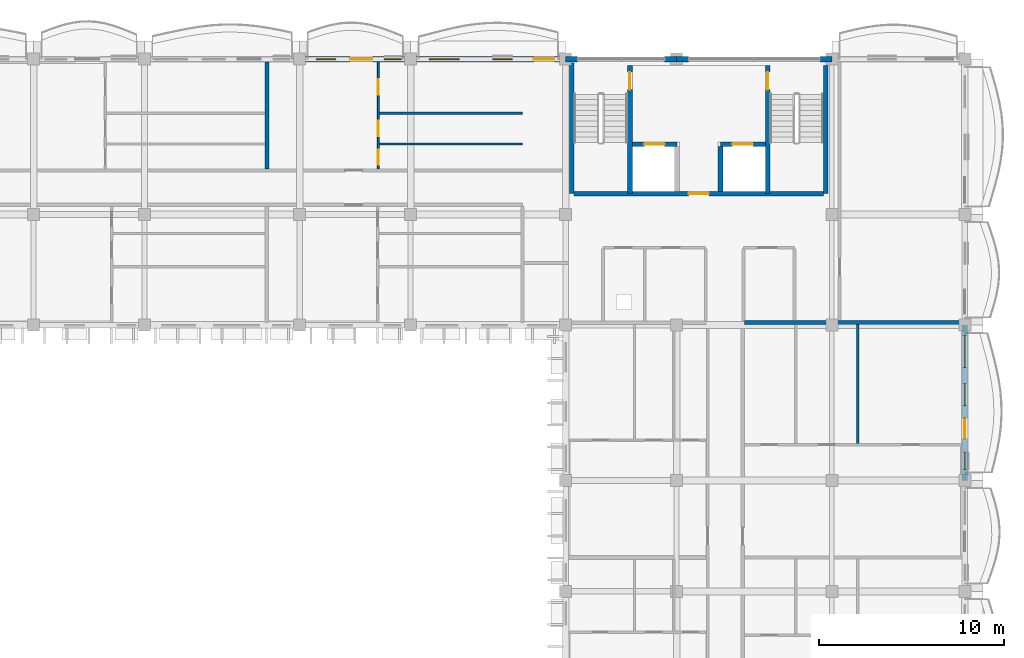
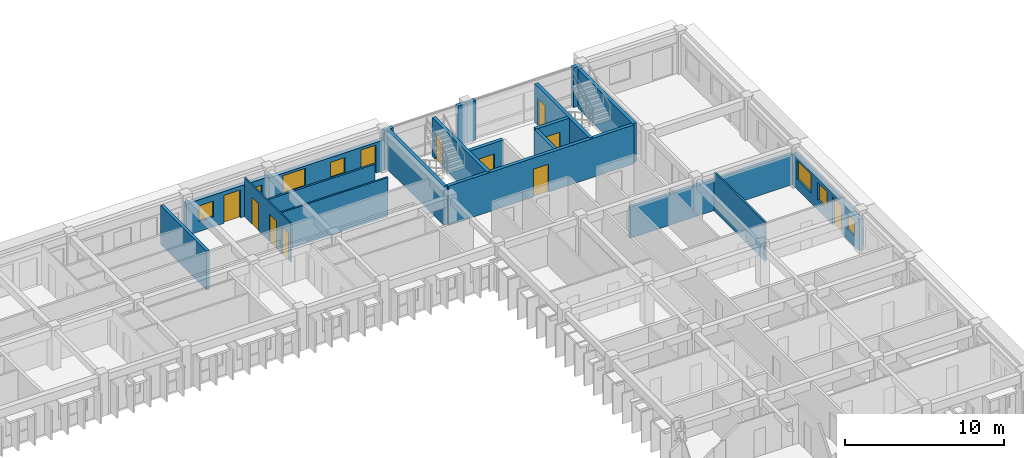
# One storey, part 36 of 66: 21 walls, 11 doors, 7 windows, 18 openings.
"""IFC4 building model written with IfcOpenShell, lengths in metres."""

from ifc_helpers import new_model, si_unit, direction, frame, frame_2d, origin, place, context, subcontext, project, spatial, rectangle, extrude, material, layer, layer_set, type_object, element, fill, save


model = new_model("IFC4")

# Units and contexts
model_context = context("Model", 3, precision=1e-05, world=origin(), true_north=direction((0.0, 1.0)))
body_context = subcontext(model_context, "Body", "Model", "MODEL_VIEW")
ifc_project = project(units=[si_unit("LENGTHUNIT", "METRE"), si_unit("AREAUNIT", "SQUARE_METRE"), si_unit("VOLUMEUNIT", "CUBIC_METRE"), si_unit("PLANEANGLEUNIT", "RADIAN"), si_unit("MASSUNIT", "GRAM", prefix="KILO"), si_unit("THERMODYNAMICTEMPERATUREUNIT", "KELVIN")], contexts=[model_context])

# Site, building, storey
site_placement = place(None, origin())
site = spatial("IfcSite", under=ifc_project, at=site_placement, CompositionType="ELEMENT")
building_placement = place(site_placement, origin())
building = spatial("IfcBuilding", under=site, at=building_placement, Name="Thalorik Housing Commons", CompositionType="ELEMENT")
storey_placement = place(building_placement, frame((0.0, 0.0, 21.300048828125)))
storey = spatial("IfcBuildingStorey", under=building, at=storey_placement, Name="L06", CompositionType="ELEMENT", Elevation=21.300048828125)

# Wall, opening, door
ifc_material_1 = material(Name="Concrete C40/50", Category="concrete")
ifc_layer_1 = layer(ifc_material_1, 0.25, Name="Concrete C40/50", Category="concrete")
ifc_layer_set_1 = layer_set([ifc_layer_1], Name="Concrete C40/50")
wall_type_1 = type_object("IfcWallType", Name="ARC-WAL-CORE-250", PredefinedType="SHEAR", material=ifc_layer_set_1)
wall_1_placement = place(storey_placement, frame((155.875, 123.25, 0.0), z_axis=(0.0, 0.0, 1.0), x_axis=(0.0, -1.0, 0.0)))
wall_1 = element("IfcWall", 1, at=wall_1_placement, inside=storey, type_object=wall_type_1, Name="L06 Core B Stair 1 Shear Wall", PredefinedType="SHEAR", context=body_context, shape_type="SweptSolid", body=[
    extrude(rectangle(XDim=6.925048828125, YDim=0.25, at=frame_2d((3.46240234375, 0.0))), origin(), (0.0, 0.0, 1.0), 3.0),
])
opening_1_placement = place(wall_1_placement, frame((0.35009765625, 0.0, 0.0)))
opening_1 = element("IfcOpeningElement", 2, at=opening_1_placement, cuts=wall_1, Name="Opening ID-0193", PredefinedType="OPENING", context=body_context, shape_type="SweptSolid", body=[
    extrude(rectangle(XDim=0.949951171875, YDim=2.10009765625, at=frame_2d((0.47509765625, 1.050048828125))), frame((0.0, 0.135009765625, 0.0), z_axis=(0.0, -1.0, 0.0), x_axis=(1.0, 0.0, 0.0)), (0.0, 0.0, 1.0), 0.27001953125),
])
ifc_material_2 = material(Name="Steel S355", Category="steel")
door_type_1 = type_object("IfcDoorType", Name="ARC-DR-FD60-950", OperationType="NOTDEFINED", PredefinedType="DOOR", material=ifc_material_2)
door_1_placement = place(opening_1_placement, origin())
door_1 = element("IfcDoor", 3, at=door_1_placement, inside=storey, type_object=door_type_1, Name="L06 Stair ST-B1 Fire Door", OperationType="SINGLE_SWING_RIGHT", OverallHeight=2.10009765625, OverallWidth=0.949951171875, PredefinedType="DOOR", context=body_context, shape_type="SweptSolid", body=[
    extrude(rectangle(XDim=0.949951171875, YDim=2.10009765625, at=frame_2d((0.47509765625, 1.050048828125))), frame((0.0, 0.02490234375, 0.0), z_axis=(0.0, -1.0, 0.0), x_axis=(1.0, 0.0, 0.0)), (0.0, 0.0, 1.0), 0.050048828125),
])
fill(opening_1, door_1)

# Walls
wall_2_placement = place(storey_placement, frame((152.72509765625, 123.39990234375, 0.0), z_axis=(0.0, 0.0, 1.0), x_axis=(0.0, -1.0, 0.0)))
element("IfcWall", 4, at=wall_2_placement, inside=storey, type_object=wall_type_1, Name="L06 Core B Stair 1 Outer Shear Wall", PredefinedType="SHEAR", context=body_context, shape_type="SweptSolid", body=[
    extrude(rectangle(XDim=7.074951171875, YDim=0.25, at=frame_2d((3.53759765625, 0.0))), origin(), (0.0, 0.0, 1.0), 3.0),
])
wall_3_placement = place(storey_placement, frame((166.47509765625, 123.25, 0.0), z_axis=(0.0, 0.0, 1.0), x_axis=(0.0, -1.0, 0.0)))
element("IfcWall", 5, at=wall_3_placement, inside=storey, type_object=wall_type_1, Name="L06 Core B Stair 2 Outer Shear Wall", PredefinedType="SHEAR", context=body_context, shape_type="SweptSolid", body=[
    extrude(rectangle(XDim=6.925048828125, YDim=0.25, at=frame_2d((3.46240234375, 0.0))), origin(), (0.0, 0.0, 1.0), 3.0),
])

# Wall, opening, door
wall_4_placement = place(storey_placement, frame((163.324951171875, 123.25, 0.0), z_axis=(0.0, 0.0, 1.0), x_axis=(0.0, -1.0, 0.0)))
wall_4 = element("IfcWall", 6, at=wall_4_placement, inside=storey, type_object=wall_type_1, Name="L06 Core B Stair 2 Shear Wall", PredefinedType="SHEAR", context=body_context, shape_type="SweptSolid", body=[
    extrude(rectangle(XDim=6.925048828125, YDim=0.25, at=frame_2d((3.46240234375, 0.0))), origin(), (0.0, 0.0, 1.0), 3.0),
])
opening_2_placement = place(wall_4_placement, frame((0.35009765625, 0.0, 0.0)))
opening_2 = element("IfcOpeningElement", 7, at=opening_2_placement, cuts=wall_4, Name="Opening ID-0194", PredefinedType="OPENING", context=body_context, shape_type="SweptSolid", body=[
    extrude(rectangle(XDim=0.949951171875, YDim=2.10009765625, at=frame_2d((0.47509765625, 1.050048828125))), frame((0.0, 0.135009765625, 0.0), z_axis=(0.0, -1.0, 0.0), x_axis=(1.0, 0.0, 0.0)), (0.0, 0.0, 1.0), 0.27001953125),
])
door_2_placement = place(opening_2_placement, origin())
door_2 = element("IfcDoor", 8, at=door_2_placement, inside=storey, type_object=door_type_1, Name="L06 Stair ST-B2 Fire Door", OperationType="SINGLE_SWING_LEFT", OverallHeight=2.10009765625, OverallWidth=0.949951171875, PredefinedType="DOOR", context=body_context, shape_type="SweptSolid", body=[
    extrude(rectangle(XDim=0.949951171875, YDim=2.10009765625, at=frame_2d((0.47509765625, 1.050048828125))), frame((0.0, 0.02490234375, 0.0), z_axis=(0.0, -1.0, 0.0), x_axis=(1.0, 0.0, 0.0)), (0.0, 0.0, 1.0), 0.050048828125),
])
fill(opening_2, door_2)

wall_5_placement = place(storey_placement, frame((156.0, 119.0, 0.0), z_axis=(0.0, 0.0, 1.0), x_axis=(1.0, 0.0, 0.0)))
wall_5 = element("IfcWall", 9, at=wall_5_placement, inside=storey, type_object=wall_type_1, Name="L06 Lift LF-B1 Front Shaft Wall", PredefinedType="SHEAR", context=body_context, shape_type="SweptSolid", body=[
    extrude(rectangle(XDim=2.425048828125, YDim=0.25, at=frame_2d((1.21240234375, 0.0))), origin(), (0.0, 0.0, 1.0), 3.0),
])
opening_3_placement = place(wall_5_placement, frame((0.64990234375, 0.0, 0.0)))
opening_3 = element("IfcOpeningElement", 10, at=opening_3_placement, cuts=wall_5, Name="Opening LD-LF-B1-L06", PredefinedType="OPENING", context=body_context, shape_type="SweptSolid", body=[
    extrude(rectangle(XDim=1.10009765625, YDim=2.14990234375, at=frame_2d((0.550048828125, 1.074951171875))), frame((0.0, 0.135009765625, 0.0), z_axis=(0.0, -1.0, 0.0), x_axis=(1.0, 0.0, 0.0)), (0.0, 0.0, 1.0), 0.27001953125),
])
door_type_2 = type_object("IfcDoorType", Name="ARC-DR-LIFT-1100", OperationType="NOTDEFINED", PredefinedType="DOOR", material=ifc_material_2)
door_3_placement = place(opening_3_placement, origin())
door_3 = element("IfcDoor", 11, at=door_3_placement, inside=storey, type_object=door_type_2, Name="L06 Lift LF-B1 Landing Door", OperationType="SLIDING_TO_LEFT", OverallHeight=2.14990234375, OverallWidth=1.10009765625, PredefinedType="DOOR", context=body_context, shape_type="SweptSolid", body=[
    extrude(rectangle(XDim=1.10009765625, YDim=2.14990234375, at=frame_2d((0.550048828125, 1.074951171875))), frame((0.0, 0.02490234375, 0.0), z_axis=(0.0, -1.0, 0.0), x_axis=(1.0, 0.0, 0.0)), (0.0, 0.0, 1.0), 0.050048828125),
])
fill(opening_3, door_3)

wall_6_placement = place(storey_placement, frame((160.77490234375, 119.0, 0.0), z_axis=(0.0, 0.0, 1.0), x_axis=(1.0, 0.0, 0.0)))
wall_6 = element("IfcWall", 12, at=wall_6_placement, inside=storey, type_object=wall_type_1, Name="L06 Lift LP-B2 Front Shaft Wall", PredefinedType="SHEAR", context=body_context, shape_type="SweptSolid", body=[
    extrude(rectangle(XDim=2.425048828125, YDim=0.25, at=frame_2d((1.21240234375, 0.0))), origin(), (0.0, 0.0, 1.0), 3.0),
])
opening_4_placement = place(wall_6_placement, frame((0.64990234375, 0.0, 0.0)))
opening_4 = element("IfcOpeningElement", 13, at=opening_4_placement, cuts=wall_6, Name="Opening LD-LP-B2-L06", PredefinedType="OPENING", context=body_context, shape_type="SweptSolid", body=[
    extrude(rectangle(XDim=1.10009765625, YDim=2.14990234375, at=frame_2d((0.550048828125, 1.074951171875))), frame((0.0, 0.135009765625, 0.0), z_axis=(0.0, -1.0, 0.0), x_axis=(1.0, 0.0, 0.0)), (0.0, 0.0, 1.0), 0.27001953125),
])
door_4_placement = place(opening_4_placement, origin())
door_4 = element("IfcDoor", 14, at=door_4_placement, inside=storey, type_object=door_type_2, Name="L06 Lift LP-B2 Landing Door", OperationType="SLIDING_TO_LEFT", OverallHeight=2.14990234375, OverallWidth=1.10009765625, PredefinedType="DOOR", context=body_context, shape_type="SweptSolid", body=[
    extrude(rectangle(XDim=1.10009765625, YDim=2.14990234375, at=frame_2d((0.550048828125, 1.074951171875))), frame((0.0, 0.02490234375, 0.0), z_axis=(0.0, -1.0, 0.0), x_axis=(1.0, 0.0, 0.0)), (0.0, 0.0, 1.0), 0.050048828125),
])
fill(opening_4, door_4)

# Wall
wall_7_placement = place(storey_placement, frame((160.77490234375, 118.875, 0.0), z_axis=(0.0, 0.0, 1.0), x_axis=(0.0, -1.0, 0.0)))
element("IfcWall", 15, at=wall_7_placement, inside=storey, type_object=wall_type_1, Name="L06 Lift 2 Cheek Wall", PredefinedType="SHEAR", context=body_context, shape_type="SweptSolid", body=[
    extrude(rectangle(XDim=2.425048828125, YDim=0.25, at=frame_2d((1.21240234375, 0.0))), origin(), (0.0, 0.0, 1.0), 3.0),
])

# Wall, opening, door
wall_8_placement = place(storey_placement, frame((152.85009765625, 116.324951171875, 0.0), z_axis=(0.0, 0.0, 1.0), x_axis=(1.0, 0.0, 0.0)))
wall_8 = element("IfcWall", 16, at=wall_8_placement, inside=storey, type_object=wall_type_1, Name="L06 Core B Spine Shear Wall", PredefinedType="SHEAR", context=body_context, shape_type="SweptSolid", body=[
    extrude(rectangle(XDim=13.5, YDim=0.25, at=frame_2d((6.75, 0.0))), origin(), (0.0, 0.0, 1.0), 3.0),
])
opening_5_placement = place(wall_8_placement, frame((6.199951171875, 0.0, 0.0)))
opening_5 = element("IfcOpeningElement", 17, at=opening_5_placement, cuts=wall_8, Name="Opening ID-0197", PredefinedType="OPENING", context=body_context, shape_type="SweptSolid", body=[
    extrude(rectangle(XDim=1.10009765625, YDim=2.14990234375, at=frame_2d((0.550048828125, 1.074951171875))), frame((0.0, 0.135009765625, 0.0), z_axis=(0.0, -1.0, 0.0), x_axis=(1.0, 0.0, 0.0)), (0.0, 0.0, 1.0), 0.27001953125),
])
door_type_3 = type_object("IfcDoorType", Name="ARC-DR-FD60-1100", OperationType="NOTDEFINED", PredefinedType="DOOR", material=ifc_material_2)
door_5_placement = place(opening_5_placement, origin())
door_5 = element("IfcDoor", 18, at=door_5_placement, inside=storey, type_object=door_type_3, Name="L06 Core B Lobby Fire Door", OperationType="SINGLE_SWING_RIGHT", OverallHeight=2.14990234375, OverallWidth=1.10009765625, PredefinedType="DOOR", context=body_context, shape_type="SweptSolid", body=[
    extrude(rectangle(XDim=1.10009765625, YDim=2.14990234375, at=frame_2d((0.550048828125, 1.074951171875))), frame((0.0, 0.02490234375, 0.0), z_axis=(0.0, -1.0, 0.0), x_axis=(1.0, 0.0, 0.0)), (0.0, 0.0, 1.0), 0.050048828125),
])
fill(opening_5, door_5)

# Walls
ifc_material_3 = material(Name="White precast concrete C40/50", Category="concrete")
ifc_layer_2 = layer(ifc_material_3, 0.304931640625, Name="White precast concrete C40/50", Category="concrete")
ifc_layer_set_2 = layer_set([ifc_layer_2], Name="White precast concrete C40/50")
wall_type_2 = type_object("IfcWallType", Name="ARC-WAL-EXT-305", PredefinedType="STANDARD", material=ifc_layer_set_2)
for number, where, z_axis, x_axis, name in (
    (19, (166.800048828125, 123.60009765625, 0.0), (0.0, 0.0, 1.0), (-1.0, 0.0, 0.0), "L06 Exterior Wall WAL-PIERL-L06-B-0600"),
    (20, (159.050048828125, 123.60009765625, 0.0), (0.0, 0.0, 1.0), (-1.0, 0.0, 0.0), "L06 Exterior Wall WAL-PIERR-L06-B-0600"),
):
    element("IfcWall", number, at=place(storey_placement, frame(where, z_axis=z_axis, x_axis=x_axis)), inside=storey, type_object=wall_type_2, Name=name, PredefinedType="STANDARD", context=body_context, shape_type="SweptSolid", body=[
        extrude(rectangle(XDim=0.650146484375, YDim=0.304931640625, at=frame_2d((0.3251953125, 0.0))), origin(), (0.0, 0.0, 1.0), 3.0400390625),
    ])
wall_9_placement = place(storey_placement, frame((158.39990234375, 123.60009765625, 0.0), z_axis=(0.0, 0.0, 1.0), x_axis=(-1.0, 0.0, 0.0)))
element("IfcWall", 21, at=wall_9_placement, inside=storey, type_object=wall_type_2, Name="L06 Exterior Wall WAL-PIERL-L06-B-0601", PredefinedType="STANDARD", context=body_context, shape_type="SweptSolid", body=[
    extrude(rectangle(XDim=0.64990234375, YDim=0.304931640625, at=frame_2d((0.324951171875, 0.0))), origin(), (0.0, 0.0, 1.0), 3.0400390625),
])
wall_10_placement = place(storey_placement, frame((153.050048828125, 123.60009765625, 0.0), z_axis=(0.0, 0.0, 1.0), x_axis=(-1.0, 0.0, 0.0)))
element("IfcWall", 22, at=wall_10_placement, inside=storey, type_object=wall_type_2, Name="L06 Exterior Wall WAL-PIERR-L06-B-0601", PredefinedType="STANDARD", context=body_context, shape_type="SweptSolid", body=[
    extrude(rectangle(XDim=0.650146484375, YDim=0.304931640625, at=frame_2d((0.3251953125, 0.0))), origin(), (0.0, 0.0, 1.0), 3.0400390625),
])

# Wall, openings, door, windows
wall_11_placement = place(storey_placement, frame((152.39990234375, 123.60009765625, 0.0), z_axis=(0.0, 0.0, 1.0), x_axis=(-1.0, 0.0, 0.0)))
wall_11 = element("IfcWall", 23, at=wall_11_placement, inside=storey, type_object=wall_type_2, Name="L06 Exterior Wall WAL-EXT-L06-B-0602", PredefinedType="STANDARD", context=body_context, shape_type="SweptSolid", body=[
    extrude(rectangle(XDim=8.39990234375, YDim=0.304931640625, at=frame_2d((4.199951171875, 0.0))), origin(), (0.0, 0.0, 1.0), 2.344970703125),
])
opening_6_placement = place(wall_11_placement, frame((0.6201171875, 0.0, 0.0)))
opening_6 = element("IfcOpeningElement", 24, at=opening_6_placement, cuts=wall_11, Name="Opening ED-0194", PredefinedType="OPENING", context=body_context, shape_type="SweptSolid", body=[
    extrude(rectangle(XDim=1.10009765625, YDim=2.14990234375, at=frame_2d((0.550048828125, 1.074951171875))), frame((0.0, 0.16259765625, 0.0), z_axis=(0.0, -1.0, 0.0), x_axis=(1.0, 0.0, 0.0)), (0.0, 0.0, 1.0), 0.324951171875),
])
opening_7_placement = place(wall_11_placement, frame((2.889892578125, 0.0, 0.780029296875)))
opening_7 = element("IfcOpeningElement", 25, at=opening_7_placement, cuts=wall_11, Name="Opening W-44", PredefinedType="OPENING", context=body_context, shape_type="SweptSolid", body=[
    extrude(rectangle(XDim=1.050048828125, YDim=1.199951171875, at=frame_2d((0.52490234375, 0.60009765625))), frame((0.0, 0.16259765625, 0.0), z_axis=(0.0, -1.0, 0.0), x_axis=(1.0, 0.0, 0.0)), (0.0, 0.0, 1.0), 0.324951171875),
])
opening_8_placement = place(wall_11_placement, frame((5.7548828125, 0.0, 0.780029296875)))
opening_8 = element("IfcOpeningElement", 26, at=opening_8_placement, cuts=wall_11, Name="Opening W-54", PredefinedType="OPENING", context=body_context, shape_type="SweptSolid", body=[
    extrude(rectangle(XDim=1.6201171875, YDim=1.3798828125, at=frame_2d((0.81005859375, 0.68994140625))), frame((0.0, 0.16259765625, 0.0), z_axis=(0.0, -1.0, 0.0), x_axis=(1.0, 0.0, 0.0)), (0.0, 0.0, 1.0), 0.324951171875),
])
ifc_material_4 = material(Name="Anodised aluminium and laminated safety glass", Category="aluminium")
door_type_4 = type_object("IfcDoorType", Name="ARC-DR-BAL-1100", OperationType="NOTDEFINED", PredefinedType="DOOR", material=ifc_material_4)
door_6_placement = place(opening_6_placement, frame((1.10009765625, 0.0, 0.0), z_axis=(0.0, 0.0, 1.0), x_axis=(-1.0, 0.0, 0.0)))
door_6 = element("IfcDoor", 27, at=door_6_placement, inside=storey, type_object=door_type_4, Name="L06 Block B Balcony Glazed Door", OperationType="SINGLE_SWING_LEFT", OverallHeight=2.14990234375, OverallWidth=1.10009765625, PredefinedType="DOOR", context=body_context, shape_type="SweptSolid", body=[
    extrude(rectangle(XDim=1.10009765625, YDim=2.14990234375, at=frame_2d((0.550048828125, 1.074951171875))), frame((0.0, 0.02490234375, 0.0), z_axis=(0.0, -1.0, 0.0), x_axis=(1.0, 0.0, 0.0)), (0.0, 0.0, 1.0), 0.050048828125),
])
fill(opening_6, door_6)
ifc_material_5 = material(Name="Anodised aluminium and solar-control low-E glass", Category="aluminium")
window_type_1 = type_object("IfcWindowType", Name="ARC-WIN-44", PartitioningType="SINGLE_PANEL", PredefinedType="WINDOW", material=ifc_material_5)
window_1_placement = place(opening_7_placement, origin())
window_1 = element("IfcWindow", 28, at=window_1_placement, inside=storey, type_object=window_type_1, Name="L06 Facade Window 1089", OverallHeight=1.199951171875, OverallWidth=1.050048828125, PartitioningType="SINGLE_PANEL", PredefinedType="WINDOW", context=body_context, shape_type="SweptSolid", body=[
    extrude(rectangle(XDim=1.050048828125, YDim=1.199951171875, at=frame_2d((0.52490234375, 0.60009765625))), frame((0.0, 0.030029296875, 0.0), z_axis=(0.0, -1.0, 0.0), x_axis=(1.0, 0.0, 0.0)), (0.0, 0.0, 1.0), 0.06005859375),
])
fill(opening_7, window_1)
window_type_2 = type_object("IfcWindowType", Name="ARC-WIN-54", PartitioningType="DOUBLE_PANEL_VERTICAL", PredefinedType="WINDOW", material=ifc_material_5)
window_2_placement = place(opening_8_placement, origin())
window_2 = element("IfcWindow", 29, at=window_2_placement, inside=storey, type_object=window_type_2, Name="L06 Facade Window 1090", OverallHeight=1.3798828125, OverallWidth=1.6201171875, PartitioningType="DOUBLE_PANEL_VERTICAL", PredefinedType="WINDOW", context=body_context, shape_type="SweptSolid", body=[
    extrude(rectangle(XDim=1.6201171875, YDim=1.3798828125, at=frame_2d((0.81005859375, 0.68994140625))), frame((0.0, 0.030029296875, 0.0), z_axis=(0.0, -1.0, 0.0), x_axis=(1.0, 0.0, 0.0)), (0.0, 0.0, 1.0), 0.06005859375),
])
fill(opening_8, window_2)

wall_12_placement = place(storey_placement, frame((144.0, 123.60009765625, 0.0), z_axis=(0.0, 0.0, 1.0), x_axis=(-1.0, 0.0, 0.0)))
wall_12 = element("IfcWall", 30, at=wall_12_placement, inside=storey, type_object=wall_type_2, Name="L06 Exterior Wall WAL-EXT-L06-B-0603", PredefinedType="STANDARD", context=body_context, shape_type="SweptSolid", body=[
    extrude(rectangle(XDim=6.0, YDim=0.304931640625, at=frame_2d((3.0, 0.0))), origin(), (0.0, 0.0, 1.0), 2.445068359375),
])
opening_9_placement = place(wall_12_placement, frame((2.071533203125, 0.0, 0.0)))
opening_9 = element("IfcOpeningElement", 31, at=opening_9_placement, cuts=wall_12, Name="Opening ED-0195", PredefinedType="OPENING", context=body_context, shape_type="SweptSolid", body=[
    extrude(rectangle(XDim=1.199951171875, YDim=2.14990234375, at=frame_2d((0.60009765625, 1.074951171875))), frame((0.0, 0.16259765625, 0.0), z_axis=(0.0, -1.0, 0.0), x_axis=(1.0, 0.0, 0.0)), (0.0, 0.0, 1.0), 0.324951171875),
])
opening_10_placement = place(wall_12_placement, frame((0.515869140625, 0.0, 0.780029296875)))
opening_10 = element("IfcOpeningElement", 32, at=opening_10_placement, cuts=wall_12, Name="Opening W-01", PredefinedType="OPENING", context=body_context, shape_type="SweptSolid", body=[
    extrude(rectangle(XDim=0.89990234375, YDim=1.199951171875, at=frame_2d((0.449951171875, 0.60009765625))), frame((0.0, 0.16259765625, 0.0), z_axis=(0.0, -1.0, 0.0), x_axis=(1.0, 0.0, 0.0)), (0.0, 0.0, 1.0), 0.324951171875),
])
opening_11_placement = place(wall_12_placement, frame((4.040771484375, 0.0, 0.780029296875)))
opening_11 = element("IfcOpeningElement", 33, at=opening_11_placement, cuts=wall_12, Name="Opening W-44", PredefinedType="OPENING", context=body_context, shape_type="SweptSolid", body=[
    extrude(rectangle(XDim=1.050048828125, YDim=1.199951171875, at=frame_2d((0.52490234375, 0.60009765625))), frame((0.0, 0.16259765625, 0.0), z_axis=(0.0, -1.0, 0.0), x_axis=(1.0, 0.0, 0.0)), (0.0, 0.0, 1.0), 0.324951171875),
])
door_type_5 = type_object("IfcDoorType", Name="ARC-DR-BAL-1200", OperationType="NOTDEFINED", PredefinedType="DOOR", material=ifc_material_4)
door_7_placement = place(opening_9_placement, frame((1.199951171875, 0.0, 0.0), z_axis=(0.0, 0.0, 1.0), x_axis=(-1.0, 0.0, 0.0)))
door_7 = element("IfcDoor", 34, at=door_7_placement, inside=storey, type_object=door_type_5, Name="L06 Block B Balcony Glazed Door", OperationType="SINGLE_SWING_RIGHT", OverallHeight=2.14990234375, OverallWidth=1.199951171875, PredefinedType="DOOR", context=body_context, shape_type="SweptSolid", body=[
    extrude(rectangle(XDim=1.199951171875, YDim=2.14990234375, at=frame_2d((0.60009765625, 1.074951171875))), frame((0.0, 0.02490234375, 0.0), z_axis=(0.0, -1.0, 0.0), x_axis=(1.0, 0.0, 0.0)), (0.0, 0.0, 1.0), 0.050048828125),
])
fill(opening_9, door_7)
window_type_3 = type_object("IfcWindowType", Name="ARC-WIN-01", PartitioningType="SINGLE_PANEL", PredefinedType="WINDOW", material=ifc_material_5)
window_3_placement = place(opening_10_placement, origin())
window_3 = element("IfcWindow", 35, at=window_3_placement, inside=storey, type_object=window_type_3, Name="L06 Facade Window 1091", OverallHeight=1.199951171875, OverallWidth=0.89990234375, PartitioningType="SINGLE_PANEL", PredefinedType="WINDOW", context=body_context, shape_type="SweptSolid", body=[
    extrude(rectangle(XDim=0.89990234375, YDim=1.199951171875, at=frame_2d((0.449951171875, 0.60009765625))), frame((0.0, 0.030029296875, 0.0), z_axis=(0.0, -1.0, 0.0), x_axis=(1.0, 0.0, 0.0)), (0.0, 0.0, 1.0), 0.06005859375),
])
fill(opening_10, window_3)
window_4_placement = place(opening_11_placement, origin())
window_4 = element("IfcWindow", 36, at=window_4_placement, inside=storey, type_object=window_type_1, Name="L06 Facade Window 1092", OverallHeight=1.199951171875, OverallWidth=1.050048828125, PartitioningType="SINGLE_PANEL", PredefinedType="WINDOW", context=body_context, shape_type="SweptSolid", body=[
    extrude(rectangle(XDim=1.050048828125, YDim=1.199951171875, at=frame_2d((0.52490234375, 0.60009765625))), frame((0.0, 0.030029296875, 0.0), z_axis=(0.0, -1.0, 0.0), x_axis=(1.0, 0.0, 0.0)), (0.0, 0.0, 1.0), 0.06005859375),
])
fill(opening_11, window_4)

wall_13_placement = place(storey_placement, frame((174.0, 100.800048828125, 0.0), z_axis=(0.0, 0.0, 1.0), x_axis=(0.0, 1.0, 0.0)))
wall_13 = element("IfcWall", 37, at=wall_13_placement, inside=storey, type_object=wall_type_2, Name="L06 Exterior Wall WAL-EXT-L06-B-0634", PredefinedType="STANDARD", context=body_context, shape_type="SweptSolid", body=[
    extrude(rectangle(XDim=8.39990234375, YDim=0.304931640625, at=frame_2d((4.199951171875, 0.0))), origin(), (0.0, 0.0, 1.0), 2.425048828125),
])
opening_12_placement = place(wall_13_placement, frame((2.2607421875, 0.0, 0.0)))
opening_12 = element("IfcOpeningElement", 38, at=opening_12_placement, cuts=wall_13, Name="Opening ED-0207", PredefinedType="OPENING", context=body_context, shape_type="SweptSolid", body=[
    extrude(rectangle(XDim=1.10009765625, YDim=2.14990234375, at=frame_2d((0.550048828125, 1.074951171875))), frame((0.0, 0.16259765625, 0.0), z_axis=(0.0, -1.0, 0.0), x_axis=(1.0, 0.0, 0.0)), (0.0, 0.0, 1.0), 0.324951171875),
])
opening_13_placement = place(wall_13_placement, frame((0.58544921875, 0.0, 0.780029296875)))
opening_13 = element("IfcOpeningElement", 39, at=opening_13_placement, cuts=wall_13, Name="Opening W-43", PredefinedType="OPENING", context=body_context, shape_type="SweptSolid", body=[
    extrude(rectangle(XDim=0.949951171875, YDim=1.14990234375, at=frame_2d((0.47509765625, 0.574951171875))), frame((0.0, 0.16259765625, 0.0), z_axis=(0.0, -1.0, 0.0), x_axis=(1.0, 0.0, 0.0)), (0.0, 0.0, 1.0), 0.324951171875),
])
opening_14_placement = place(wall_13_placement, frame((4.045654296875, 0.0, 0.780029296875)))
opening_14 = element("IfcOpeningElement", 40, at=opening_14_placement, cuts=wall_13, Name="Opening W-04", PredefinedType="OPENING", context=body_context, shape_type="SweptSolid", body=[
    extrude(rectangle(XDim=1.199951171875, YDim=1.35009765625, at=frame_2d((0.60009765625, 0.675048828125))), frame((0.0, 0.16259765625, 0.0), z_axis=(0.0, -1.0, 0.0), x_axis=(1.0, 0.0, 0.0)), (0.0, 0.0, 1.0), 0.324951171875),
])
opening_15_placement = place(wall_13_placement, frame((6.10009765625, 0.0, 0.780029296875)))
opening_15 = element("IfcOpeningElement", 41, at=opening_15_placement, cuts=wall_13, Name="Opening W-17", PredefinedType="OPENING", context=body_context, shape_type="SweptSolid", body=[
    extrude(rectangle(XDim=1.75, YDim=1.449951171875, at=frame_2d((0.875, 0.72509765625))), frame((0.0, 0.16259765625, 0.0), z_axis=(0.0, -1.0, 0.0), x_axis=(1.0, 0.0, 0.0)), (0.0, 0.0, 1.0), 0.324951171875),
])
door_8_placement = place(opening_12_placement, frame((1.10009765625, 0.0, 0.0), z_axis=(0.0, 0.0, 1.0), x_axis=(-1.0, 0.0, 0.0)))
door_8 = element("IfcDoor", 42, at=door_8_placement, inside=storey, type_object=door_type_4, Name="L06 Block B Balcony Glazed Door", OperationType="SINGLE_SWING_RIGHT", OverallHeight=2.14990234375, OverallWidth=1.10009765625, PredefinedType="DOOR", context=body_context, shape_type="SweptSolid", body=[
    extrude(rectangle(XDim=1.10009765625, YDim=2.14990234375, at=frame_2d((0.550048828125, 1.074951171875))), frame((0.0, 0.02490234375, 0.0), z_axis=(0.0, -1.0, 0.0), x_axis=(1.0, 0.0, 0.0)), (0.0, 0.0, 1.0), 0.050048828125),
])
fill(opening_12, door_8)
window_type_4 = type_object("IfcWindowType", Name="ARC-WIN-04", PartitioningType="SINGLE_PANEL", PredefinedType="WINDOW", material=ifc_material_5)
window_5_placement = place(opening_14_placement, origin())
window_5 = element("IfcWindow", 43, at=window_5_placement, inside=storey, type_object=window_type_4, Name="L06 Facade Window 1161", OverallHeight=1.35009765625, OverallWidth=1.199951171875, PartitioningType="SINGLE_PANEL", PredefinedType="WINDOW", context=body_context, shape_type="SweptSolid", body=[
    extrude(rectangle(XDim=1.199951171875, YDim=1.35009765625, at=frame_2d((0.60009765625, 0.675048828125))), frame((0.0, 0.030029296875, 0.0), z_axis=(0.0, -1.0, 0.0), x_axis=(1.0, 0.0, 0.0)), (0.0, 0.0, 1.0), 0.06005859375),
])
fill(opening_14, window_5)
window_type_5 = type_object("IfcWindowType", Name="ARC-WIN-17", PartitioningType="DOUBLE_PANEL_VERTICAL", PredefinedType="WINDOW", material=ifc_material_5)
window_6_placement = place(opening_15_placement, origin())
window_6 = element("IfcWindow", 44, at=window_6_placement, inside=storey, type_object=window_type_5, Name="L06 Facade Window 1162", OverallHeight=1.449951171875, OverallWidth=1.75, PartitioningType="DOUBLE_PANEL_VERTICAL", PredefinedType="WINDOW", context=body_context, shape_type="SweptSolid", body=[
    extrude(rectangle(XDim=1.75, YDim=1.449951171875, at=frame_2d((0.875, 0.72509765625))), frame((0.0, 0.030029296875, 0.0), z_axis=(0.0, -1.0, 0.0), x_axis=(1.0, 0.0, 0.0)), (0.0, 0.0, 1.0), 0.06005859375),
])
fill(opening_15, window_6)
window_type_6 = type_object("IfcWindowType", Name="ARC-WIN-43", PartitioningType="SINGLE_PANEL", PredefinedType="WINDOW", material=ifc_material_5)
window_7_placement = place(opening_13_placement, origin())
window_7 = element("IfcWindow", 45, at=window_7_placement, inside=storey, type_object=window_type_6, Name="L06 Facade Window 1160", OverallHeight=1.14990234375, OverallWidth=0.949951171875, PartitioningType="SINGLE_PANEL", PredefinedType="WINDOW", context=body_context, shape_type="SweptSolid", body=[
    extrude(rectangle(XDim=0.949951171875, YDim=1.14990234375, at=frame_2d((0.47509765625, 0.574951171875))), frame((0.0, 0.030029296875, 0.0), z_axis=(0.0, -1.0, 0.0), x_axis=(1.0, 0.0, 0.0)), (0.0, 0.0, 1.0), 0.06005859375),
])
fill(opening_13, window_7)

# Wall, openings, doors
ifc_material_6 = material(Name="Gypsum light stud partition", Category="masonry")
ifc_layer_3 = layer(ifc_material_6, 0.10009765625, Name="Gypsum light stud partition", Category="masonry")
ifc_layer_set_3 = layer_set([ifc_layer_3], Name="Gypsum light stud partition")
wall_type_3 = type_object("IfcWallType", Name="ARC-WAL-PART-100", PredefinedType="PARTITIONING", material=ifc_layer_set_3)
wall_14_placement = place(storey_placement, frame((142.25830078125, 117.656982421875, 0.0), z_axis=(0.0, 0.0, 1.0), x_axis=(0.0, 1.0, 0.0)))
wall_14 = element("IfcWall", 46, at=wall_14_placement, inside=storey, type_object=wall_type_3, Name="L06 Unit 4B Spine Partition", PredefinedType="PARTITIONING", context=body_context, shape_type="SweptSolid", body=[
    extrude(rectangle(XDim=5.78857421875, YDim=0.10009765625, at=frame_2d((2.894287109375, 0.0))), origin(), (0.0, 0.0, 1.0), 3.0),
])
opening_16_placement = place(wall_14_placement, frame((0.23828125, 0.0, 0.0)))
opening_16 = element("IfcOpeningElement", 47, at=opening_16_placement, cuts=wall_14, Name="Opening ID-1242", PredefinedType="OPENING", context=body_context, shape_type="SweptSolid", body=[
    extrude(rectangle(XDim=0.800048828125, YDim=2.10009765625, at=frame_2d((0.39990234375, 1.050048828125))), frame((0.0, 0.06005859375, 0.0), z_axis=(0.0, -1.0, 0.0), x_axis=(1.0, 0.0, 0.0)), (0.0, 0.0, 1.0), 0.1201171875),
])
opening_17_placement = place(wall_14_placement, frame((1.7626953125, 0.0, 0.0)))
opening_17 = element("IfcOpeningElement", 48, at=opening_17_placement, cuts=wall_14, Name="Opening ID-1243", PredefinedType="OPENING", context=body_context, shape_type="SweptSolid", body=[
    extrude(rectangle(XDim=0.85009765625, YDim=2.10009765625, at=frame_2d((0.425048828125, 1.050048828125))), frame((0.0, 0.06005859375, 0.0), z_axis=(0.0, -1.0, 0.0), x_axis=(1.0, 0.0, 0.0)), (0.0, 0.0, 1.0), 0.1201171875),
])
opening_18_placement = place(wall_14_placement, frame((4.027587890625, 0.0, 0.0)))
opening_18 = element("IfcOpeningElement", 49, at=opening_18_placement, cuts=wall_14, Name="Opening ID-1244", PredefinedType="OPENING", context=body_context, shape_type="SweptSolid", body=[
    extrude(rectangle(XDim=0.820068359375, YDim=2.080078125, at=frame_2d((0.41015625, 1.0400390625))), frame((0.0, 0.06005859375, 0.0), z_axis=(0.0, -1.0, 0.0), x_axis=(1.0, 0.0, 0.0)), (0.0, 0.0, 1.0), 0.1201171875),
])
ifc_material_7 = material(Name="Moisture-resistant timber", Category="wood")
door_type_6 = type_object("IfcDoorType", Name="ARC-DR-INT-800", OperationType="NOTDEFINED", PredefinedType="DOOR", material=ifc_material_7)
door_9_placement = place(opening_16_placement, origin())
door_9 = element("IfcDoor", 50, at=door_9_placement, inside=storey, type_object=door_type_6, Name="L06 Flat Bathroom Door", OperationType="SINGLE_SWING_LEFT", OverallHeight=2.10009765625, OverallWidth=0.800048828125, PredefinedType="DOOR", context=body_context, shape_type="SweptSolid", body=[
    extrude(rectangle(XDim=0.800048828125, YDim=2.10009765625, at=frame_2d((0.39990234375, 1.050048828125))), frame((0.0, 0.02490234375, 0.0), z_axis=(0.0, -1.0, 0.0), x_axis=(1.0, 0.0, 0.0)), (0.0, 0.0, 1.0), 0.050048828125),
])
fill(opening_16, door_9)
ifc_material_8 = material(Name="Engineered oak timber", Category="wood")
door_type_7 = type_object("IfcDoorType", Name="ARC-DR-INT-820", OperationType="NOTDEFINED", PredefinedType="DOOR", material=ifc_material_8)
door_10_placement = place(opening_18_placement, origin())
door_10 = element("IfcDoor", 51, at=door_10_placement, inside=storey, type_object=door_type_7, Name="L06 Double Bedroom Door", OperationType="SINGLE_SWING_LEFT", OverallHeight=2.080078125, OverallWidth=0.820068359375, PredefinedType="DOOR", context=body_context, shape_type="SweptSolid", body=[
    extrude(rectangle(XDim=0.820068359375, YDim=2.080078125, at=frame_2d((0.41015625, 1.0400390625))), frame((0.0, 0.02490234375, 0.0), z_axis=(0.0, -1.0, 0.0), x_axis=(1.0, 0.0, 0.0)), (0.0, 0.0, 1.0), 0.050048828125),
])
fill(opening_18, door_10)
door_type_8 = type_object("IfcDoorType", Name="ARC-DR-INT-850", OperationType="NOTDEFINED", PredefinedType="DOOR", material=ifc_material_8)
door_11_placement = place(opening_17_placement, origin())
door_11 = element("IfcDoor", 52, at=door_11_placement, inside=storey, type_object=door_type_8, Name="L06 Galley Kitchen Door", OperationType="SINGLE_SWING_RIGHT", OverallHeight=2.10009765625, OverallWidth=0.85009765625, PredefinedType="DOOR", context=body_context, shape_type="SweptSolid", body=[
    extrude(rectangle(XDim=0.85009765625, YDim=2.10009765625, at=frame_2d((0.425048828125, 1.050048828125))), frame((0.0, 0.02490234375, 0.0), z_axis=(0.0, -1.0, 0.0), x_axis=(1.0, 0.0, 0.0)), (0.0, 0.0, 1.0), 0.050048828125),
])
fill(opening_17, door_11)

# Walls
ifc_material_9 = material(Name="Gypsum acoustic stud partition", Category="masonry")
ifc_layer_4 = layer(ifc_material_9, 0.125, Name="Gypsum acoustic stud partition", Category="masonry")
ifc_layer_set_4 = layer_set([ifc_layer_4], Name="Gypsum acoustic stud partition")
wall_type_4 = type_object("IfcWallType", Name="ARC-WAL-PART-125", PredefinedType="PARTITIONING", material=ifc_layer_set_4)
wall_15_placement = place(storey_placement, frame((142.310302734375, 119.010498046875, 0.0), z_axis=(0.0, 0.0, 1.0), x_axis=(1.0, 0.0, 0.0)))
element("IfcWall", 53, at=wall_15_placement, inside=storey, type_object=wall_type_4, Name="L06 Unit 4B Wet Wall", PredefinedType="PARTITIONING", context=body_context, shape_type="SweptSolid", body=[
    extrude(rectangle(XDim=7.73974609375, YDim=0.125, at=frame_2d((3.869873046875, 0.0))), origin(), (0.0, 0.0, 1.0), 3.0),
])
wall_16_placement = place(storey_placement, frame((168.19921875, 102.802734375, 0.0), z_axis=(0.0, 0.0, 1.0), x_axis=(0.0, 1.0, 0.0)))
element("IfcWall", 54, at=wall_16_placement, inside=storey, type_object=wall_type_4, Name="L06 Unit 3B Bedroom Partition", PredefinedType="PARTITIONING", context=body_context, shape_type="SweptSolid", body=[
    extrude(rectangle(XDim=6.42529296875, YDim=0.125, at=frame_2d((3.212646484375, 0.0))), origin(), (0.0, 0.0, 1.0), 3.0),
])
ifc_material_10 = material(Name="Ceramic masonry partition wall", Category="masonry")
ifc_layer_5 = layer(ifc_material_10, 0.139892578125, Name="Ceramic masonry partition wall", Category="masonry")
ifc_layer_set_5 = layer_set([ifc_layer_5], Name="Ceramic masonry partition wall")
wall_type_5 = type_object("IfcWallType", Name="ARC-WAL-PART-140", PredefinedType="PARTITIONING", material=ifc_layer_set_5)
wall_17_placement = place(storey_placement, frame((142.310302734375, 120.67919921875, 0.0), z_axis=(0.0, 0.0, 1.0), x_axis=(1.0, 0.0, 0.0)))
element("IfcWall", 55, at=wall_17_placement, inside=storey, type_object=wall_type_5, Name="L06 Unit 4B Bedroom Partition", PredefinedType="PARTITIONING", context=body_context, shape_type="SweptSolid", body=[
    extrude(rectangle(XDim=7.73974609375, YDim=0.139892578125, at=frame_2d((3.869873046875, 0.0))), origin(), (0.0, 0.0, 1.0), 3.0),
])
ifc_material_11 = material(Name="Precast concrete C40/50 acoustic wall", Category="concrete")
ifc_layer_6 = layer(ifc_material_11, 0.219970703125, Name="Precast concrete C40/50 acoustic wall", Category="concrete")
ifc_layer_set_6 = layer_set([ifc_layer_6], Name="Precast concrete C40/50 acoustic wall")
wall_type_6 = type_object("IfcWallType", Name="ARC-WAL-PARTY-220", PredefinedType="PARTITIONING", material=ifc_layer_set_6)
wall_18_placement = place(storey_placement, frame((136.219970703125, 117.656982421875, 0.0), z_axis=(0.0, 0.0, 1.0), x_axis=(0.0, 1.0, 0.0)))
element("IfcWall", 56, at=wall_18_placement, inside=storey, type_object=wall_type_6, Name="L06 Inter-Tenancy Wall 3B", PredefinedType="PARTITIONING", context=body_context, shape_type="SweptSolid", body=[
    extrude(rectangle(XDim=5.78857421875, YDim=0.219970703125, at=frame_2d((2.894287109375, 0.0))), origin(), (0.0, 0.0, 1.0), 3.0),
])
wall_19_placement = place(storey_placement, frame((162.064453125, 109.340087890625, 0.0), z_axis=(0.0, 0.0, 1.0), x_axis=(1.0, 0.0, 0.0)))
element("IfcWall", 57, at=wall_19_placement, inside=storey, type_object=wall_type_6, Name="L06 Core End Wall B", PredefinedType="PARTITIONING", context=body_context, shape_type="SweptSolid", body=[
    extrude(rectangle(XDim=11.781005859375, YDim=0.219970703125, at=frame_2d((5.890625, 0.0))), origin(), (0.0, 0.0, 1.0), 2.375),
])

save(model, "model.ifc")
